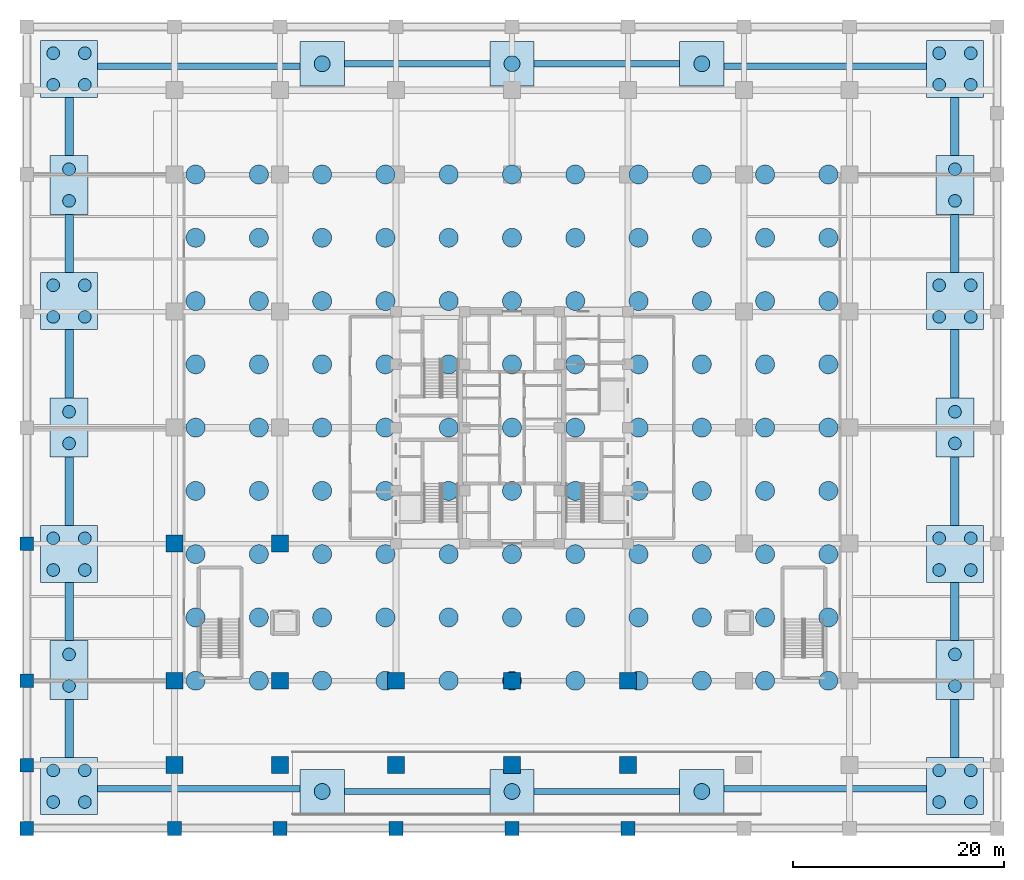
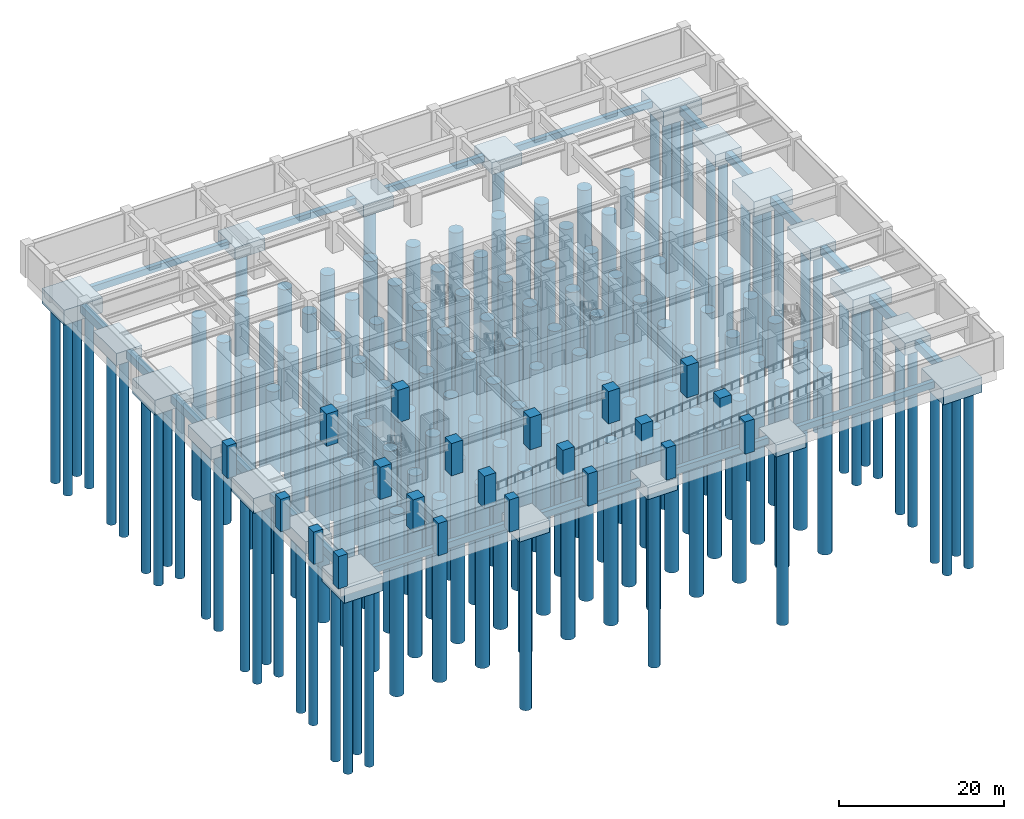
# One storey, part 1 of 13: 149 piles, 40 footings, 21 columns.
"""IFC4 building model written with IfcOpenShell, lengths in metres."""

from ifc_helpers import new_model, si_unit, direction, frame, origin, origin_2d, place, context, subcontext, project, spatial, rectangle, circle, extrude, source, transform, mapped, material, material_profile, profile_set, type_object, element, save


model = new_model("IFC4")

# Units and contexts
model_context = context("Model", 3, precision=1e-05, world=origin(), true_north=direction((0.0, 1.0)))
body_context = subcontext(model_context, "Body", "Model", "MODEL_VIEW")
ifc_project = project(units=[si_unit("LENGTHUNIT", "METRE"), si_unit("AREAUNIT", "SQUARE_METRE"), si_unit("VOLUMEUNIT", "CUBIC_METRE"), si_unit("PLANEANGLEUNIT", "RADIAN"), si_unit("MASSUNIT", "GRAM", prefix="KILO")], contexts=[model_context])

# Site, building, storey
site_placement = place(None, origin())
site = spatial("IfcSite", under=ifc_project, at=site_placement, CompositionType="ELEMENT")
building_placement = place(site_placement, origin())
building = spatial("IfcBuilding", under=site, at=building_placement, Name="Khorayat Bourse Tower", CompositionType="ELEMENT")
storey_placement = place(building_placement, frame((0.0, 0.0, -9.60009765625)))
storey = spatial("IfcBuildingStorey", under=building, at=storey_placement, Name="B02", CompositionType="ELEMENT", Elevation=-9.60009765625)

# Piles
ifc_material_1 = material(Name="Concrete C50/60", Category="concrete")
ifc_material_profile_1 = material_profile(ifc_material_1, circle(Radius=0.89990234375, at=origin_2d()), Name="BORED PILE D1800")
ifc_profile_set_1 = profile_set([ifc_material_profile_1], Name="Concrete C50/60")
pile_type_1 = type_object("IfcPileType", Name="PIL-BORED-1800", PredefinedType="BORED", material=ifc_profile_set_1)
shared_shape_1 = source(origin(), body_context, "Body", "SweptSolid", [
    extrude(circle(Radius=0.89990234375, at=origin_2d()), origin(), (0.0, 0.0, 1.0), 27.0),
])
for number, where, z_axis, x_axis, name in (
    (1, (-30.0, -24.0, -3.0498046875), (0.0, 0.0, -1.0), (1.0, 0.0, 0.0), "Tower Raft Bored Pile 001"),
    (2, (-30.0, -18.0, -3.0498046875), (0.0, 0.0, -1.0), (1.0, 0.0, 0.0), "Tower Raft Bored Pile 002"),
    (3, (-30.0, -12.0, -3.0498046875), (0.0, 0.0, -1.0), (1.0, 0.0, 0.0), "Tower Raft Bored Pile 003"),
    (4, (-30.0, -6.0, -3.0498046875), (0.0, 0.0, -1.0), (1.0, 0.0, 0.0), "Tower Raft Bored Pile 004"),
    (5, (-30.0, 0.0, -3.0498046875), (0.0, 0.0, -1.0), (1.0, 0.0, 0.0), "Tower Raft Bored Pile 005"),
    (6, (-30.0, 6.0, -3.0498046875), (0.0, 0.0, -1.0), (1.0, 0.0, 0.0), "Tower Raft Bored Pile 006"),
    (7, (-30.0, 12.0, -3.0498046875), (0.0, 0.0, -1.0), (1.0, 0.0, 0.0), "Tower Raft Bored Pile 007"),
    (8, (-30.0, 18.0, -3.0498046875), (0.0, 0.0, -1.0), (1.0, 0.0, 0.0), "Tower Raft Bored Pile 008"),
    (9, (-30.0, 24.0, -3.0498046875), (0.0, 0.0, -1.0), (1.0, 0.0, 0.0), "Tower Raft Bored Pile 009"),
    (10, (-24.0, -24.0, -3.0498046875), (0.0, 0.0, -1.0), (1.0, 0.0, 0.0), "Tower Raft Bored Pile 010"),
    (11, (-24.0, -18.0, -3.0498046875), (0.0, 0.0, -1.0), (1.0, 0.0, 0.0), "Tower Raft Bored Pile 011"),
    (12, (-24.0, -12.0, -3.0498046875), (0.0, 0.0, -1.0), (1.0, 0.0, 0.0), "Tower Raft Bored Pile 012"),
    (13, (-24.0, -6.0, -3.0498046875), (0.0, 0.0, -1.0), (1.0, 0.0, 0.0), "Tower Raft Bored Pile 013"),
    (14, (-24.0, 0.0, -3.0498046875), (0.0, 0.0, -1.0), (1.0, 0.0, 0.0), "Tower Raft Bored Pile 014"),
    (15, (-24.0, 6.0, -3.0498046875), (0.0, 0.0, -1.0), (1.0, 0.0, 0.0), "Tower Raft Bored Pile 015"),
    (16, (-24.0, 12.0, -3.0498046875), (0.0, 0.0, -1.0), (1.0, 0.0, 0.0), "Tower Raft Bored Pile 016"),
    (17, (-24.0, 18.0, -3.0498046875), (0.0, 0.0, -1.0), (1.0, 0.0, 0.0), "Tower Raft Bored Pile 017"),
    (18, (-24.0, 24.0, -3.0498046875), (0.0, 0.0, -1.0), (1.0, 0.0, 0.0), "Tower Raft Bored Pile 018"),
    (19, (-18.0, -24.0, -3.0498046875), (0.0, 0.0, -1.0), (1.0, 0.0, 0.0), "Tower Raft Bored Pile 019"),
    (20, (-18.0, -18.0, -3.0498046875), (0.0, 0.0, -1.0), (1.0, 0.0, 0.0), "Tower Raft Bored Pile 020"),
    (21, (-18.0, -12.0, -3.0498046875), (0.0, 0.0, -1.0), (1.0, 0.0, 0.0), "Tower Raft Bored Pile 021"),
    (22, (-18.0, -6.0, -3.0498046875), (0.0, 0.0, -1.0), (1.0, 0.0, 0.0), "Tower Raft Bored Pile 022"),
    (23, (-18.0, 0.0, -3.0498046875), (0.0, 0.0, -1.0), (1.0, 0.0, 0.0), "Tower Raft Bored Pile 023"),
    (24, (-18.0, 6.0, -3.0498046875), (0.0, 0.0, -1.0), (1.0, 0.0, 0.0), "Tower Raft Bored Pile 024"),
    (25, (-18.0, 12.0, -3.0498046875), (0.0, 0.0, -1.0), (1.0, 0.0, 0.0), "Tower Raft Bored Pile 025"),
    (26, (-18.0, 18.0, -3.0498046875), (0.0, 0.0, -1.0), (1.0, 0.0, 0.0), "Tower Raft Bored Pile 026"),
    (27, (-18.0, 24.0, -3.0498046875), (0.0, 0.0, -1.0), (1.0, 0.0, 0.0), "Tower Raft Bored Pile 027"),
    (28, (-12.0, -24.0, -3.0498046875), (0.0, 0.0, -1.0), (1.0, 0.0, 0.0), "Tower Raft Bored Pile 028"),
    (29, (-12.0, -18.0, -3.0498046875), (0.0, 0.0, -1.0), (1.0, 0.0, 0.0), "Tower Raft Bored Pile 029"),
    (30, (-12.0, -12.0, -3.0498046875), (0.0, 0.0, -1.0), (1.0, 0.0, 0.0), "Tower Raft Bored Pile 030"),
    (31, (-12.0, -6.0, -3.0498046875), (0.0, 0.0, -1.0), (1.0, 0.0, 0.0), "Tower Raft Bored Pile 031"),
    (32, (-12.0, 0.0, -3.0498046875), (0.0, 0.0, -1.0), (1.0, 0.0, 0.0), "Tower Raft Bored Pile 032"),
    (33, (-12.0, 6.0, -3.0498046875), (0.0, 0.0, -1.0), (1.0, 0.0, 0.0), "Tower Raft Bored Pile 033"),
    (34, (-12.0, 12.0, -3.0498046875), (0.0, 0.0, -1.0), (1.0, 0.0, 0.0), "Tower Raft Bored Pile 034"),
    (35, (-12.0, 18.0, -3.0498046875), (0.0, 0.0, -1.0), (1.0, 0.0, 0.0), "Tower Raft Bored Pile 035"),
    (36, (-12.0, 24.0, -3.0498046875), (0.0, 0.0, -1.0), (1.0, 0.0, 0.0), "Tower Raft Bored Pile 036"),
    (37, (-6.0, -24.0, -3.0498046875), (0.0, 0.0, -1.0), (1.0, 0.0, 0.0), "Tower Raft Bored Pile 037"),
    (38, (-6.0, -18.0, -3.0498046875), (0.0, 0.0, -1.0), (1.0, 0.0, 0.0), "Tower Raft Bored Pile 038"),
    (39, (-6.0, -12.0, -3.0498046875), (0.0, 0.0, -1.0), (1.0, 0.0, 0.0), "Tower Raft Bored Pile 039"),
    (40, (-6.0, -6.0, -3.0498046875), (0.0, 0.0, -1.0), (1.0, 0.0, 0.0), "Tower Raft Bored Pile 040"),
    (41, (-6.0, 0.0, -3.0498046875), (0.0, 0.0, -1.0), (1.0, 0.0, 0.0), "Tower Raft Bored Pile 041"),
    (42, (-6.0, 6.0, -3.0498046875), (0.0, 0.0, -1.0), (1.0, 0.0, 0.0), "Tower Raft Bored Pile 042"),
    (43, (-6.0, 12.0, -3.0498046875), (0.0, 0.0, -1.0), (1.0, 0.0, 0.0), "Tower Raft Bored Pile 043"),
    (44, (-6.0, 18.0, -3.0498046875), (0.0, 0.0, -1.0), (1.0, 0.0, 0.0), "Tower Raft Bored Pile 044"),
    (45, (-6.0, 24.0, -3.0498046875), (0.0, 0.0, -1.0), (1.0, 0.0, 0.0), "Tower Raft Bored Pile 045"),
    (46, (0.0, -24.0, -3.0498046875), (0.0, 0.0, -1.0), (1.0, 0.0, 0.0), "Tower Raft Bored Pile 046"),
    (47, (0.0, -18.0, -3.0498046875), (0.0, 0.0, -1.0), (1.0, 0.0, 0.0), "Tower Raft Bored Pile 047"),
    (48, (0.0, -12.0, -3.0498046875), (0.0, 0.0, -1.0), (1.0, 0.0, 0.0), "Tower Raft Bored Pile 048"),
    (49, (0.0, -6.0, -3.0498046875), (0.0, 0.0, -1.0), (1.0, 0.0, 0.0), "Tower Raft Bored Pile 049"),
    (50, (0.0, 0.0, -3.0498046875), (0.0, 0.0, -1.0), (1.0, 0.0, 0.0), "Tower Raft Bored Pile 050"),
    (51, (0.0, 6.0, -3.0498046875), (0.0, 0.0, -1.0), (1.0, 0.0, 0.0), "Tower Raft Bored Pile 051"),
    (52, (0.0, 12.0, -3.0498046875), (0.0, 0.0, -1.0), (1.0, 0.0, 0.0), "Tower Raft Bored Pile 052"),
    (53, (0.0, 18.0, -3.0498046875), (0.0, 0.0, -1.0), (1.0, 0.0, 0.0), "Tower Raft Bored Pile 053"),
    (54, (0.0, 24.0, -3.0498046875), (0.0, 0.0, -1.0), (1.0, 0.0, 0.0), "Tower Raft Bored Pile 054"),
    (55, (6.0, -24.0, -3.0498046875), (0.0, 0.0, -1.0), (1.0, 0.0, 0.0), "Tower Raft Bored Pile 055"),
    (56, (6.0, -18.0, -3.0498046875), (0.0, 0.0, -1.0), (1.0, 0.0, 0.0), "Tower Raft Bored Pile 056"),
    (57, (6.0, -12.0, -3.0498046875), (0.0, 0.0, -1.0), (1.0, 0.0, 0.0), "Tower Raft Bored Pile 057"),
    (58, (6.0, -6.0, -3.0498046875), (0.0, 0.0, -1.0), (1.0, 0.0, 0.0), "Tower Raft Bored Pile 058"),
    (59, (6.0, 0.0, -3.0498046875), (0.0, 0.0, -1.0), (1.0, 0.0, 0.0), "Tower Raft Bored Pile 059"),
    (60, (6.0, 6.0, -3.0498046875), (0.0, 0.0, -1.0), (1.0, 0.0, 0.0), "Tower Raft Bored Pile 060"),
    (61, (6.0, 12.0, -3.0498046875), (0.0, 0.0, -1.0), (1.0, 0.0, 0.0), "Tower Raft Bored Pile 061"),
    (62, (6.0, 18.0, -3.0498046875), (0.0, 0.0, -1.0), (1.0, 0.0, 0.0), "Tower Raft Bored Pile 062"),
    (63, (6.0, 24.0, -3.0498046875), (0.0, 0.0, -1.0), (1.0, 0.0, 0.0), "Tower Raft Bored Pile 063"),
    (64, (12.0, -24.0, -3.0498046875), (0.0, 0.0, -1.0), (1.0, 0.0, 0.0), "Tower Raft Bored Pile 064"),
    (65, (12.0, -18.0, -3.0498046875), (0.0, 0.0, -1.0), (1.0, 0.0, 0.0), "Tower Raft Bored Pile 065"),
    (66, (12.0, -12.0, -3.0498046875), (0.0, 0.0, -1.0), (1.0, 0.0, 0.0), "Tower Raft Bored Pile 066"),
    (67, (12.0, -6.0, -3.0498046875), (0.0, 0.0, -1.0), (1.0, 0.0, 0.0), "Tower Raft Bored Pile 067"),
    (68, (12.0, 0.0, -3.0498046875), (0.0, 0.0, -1.0), (1.0, 0.0, 0.0), "Tower Raft Bored Pile 068"),
    (69, (12.0, 6.0, -3.0498046875), (0.0, 0.0, -1.0), (1.0, 0.0, 0.0), "Tower Raft Bored Pile 069"),
    (70, (12.0, 12.0, -3.0498046875), (0.0, 0.0, -1.0), (1.0, 0.0, 0.0), "Tower Raft Bored Pile 070"),
    (71, (12.0, 18.0, -3.0498046875), (0.0, 0.0, -1.0), (1.0, 0.0, 0.0), "Tower Raft Bored Pile 071"),
    (72, (12.0, 24.0, -3.0498046875), (0.0, 0.0, -1.0), (1.0, 0.0, 0.0), "Tower Raft Bored Pile 072"),
    (73, (18.0, -24.0, -3.0498046875), (0.0, 0.0, -1.0), (1.0, 0.0, 0.0), "Tower Raft Bored Pile 073"),
    (74, (18.0, -18.0, -3.0498046875), (0.0, 0.0, -1.0), (1.0, 0.0, 0.0), "Tower Raft Bored Pile 074"),
    (75, (18.0, -12.0, -3.0498046875), (0.0, 0.0, -1.0), (1.0, 0.0, 0.0), "Tower Raft Bored Pile 075"),
    (76, (18.0, -6.0, -3.0498046875), (0.0, 0.0, -1.0), (1.0, 0.0, 0.0), "Tower Raft Bored Pile 076"),
    (77, (18.0, 0.0, -3.0498046875), (0.0, 0.0, -1.0), (1.0, 0.0, 0.0), "Tower Raft Bored Pile 077"),
    (78, (18.0, 6.0, -3.0498046875), (0.0, 0.0, -1.0), (1.0, 0.0, 0.0), "Tower Raft Bored Pile 078"),
    (79, (18.0, 12.0, -3.0498046875), (0.0, 0.0, -1.0), (1.0, 0.0, 0.0), "Tower Raft Bored Pile 079"),
    (80, (18.0, 18.0, -3.0498046875), (0.0, 0.0, -1.0), (1.0, 0.0, 0.0), "Tower Raft Bored Pile 080"),
    (81, (18.0, 24.0, -3.0498046875), (0.0, 0.0, -1.0), (1.0, 0.0, 0.0), "Tower Raft Bored Pile 081"),
    (82, (24.0, -24.0, -3.0498046875), (0.0, 0.0, -1.0), (1.0, 0.0, 0.0), "Tower Raft Bored Pile 082"),
    (83, (24.0, -18.0, -3.0498046875), (0.0, 0.0, -1.0), (1.0, 0.0, 0.0), "Tower Raft Bored Pile 083"),
    (84, (24.0, -12.0, -3.0498046875), (0.0, 0.0, -1.0), (1.0, 0.0, 0.0), "Tower Raft Bored Pile 084"),
    (85, (24.0, -6.0, -3.0498046875), (0.0, 0.0, -1.0), (1.0, 0.0, 0.0), "Tower Raft Bored Pile 085"),
    (86, (24.0, 0.0, -3.0498046875), (0.0, 0.0, -1.0), (1.0, 0.0, 0.0), "Tower Raft Bored Pile 086"),
    (87, (24.0, 6.0, -3.0498046875), (0.0, 0.0, -1.0), (1.0, 0.0, 0.0), "Tower Raft Bored Pile 087"),
    (88, (24.0, 12.0, -3.0498046875), (0.0, 0.0, -1.0), (1.0, 0.0, 0.0), "Tower Raft Bored Pile 088"),
    (89, (24.0, 18.0, -3.0498046875), (0.0, 0.0, -1.0), (1.0, 0.0, 0.0), "Tower Raft Bored Pile 089"),
    (90, (24.0, 24.0, -3.0498046875), (0.0, 0.0, -1.0), (1.0, 0.0, 0.0), "Tower Raft Bored Pile 090"),
    (91, (30.0, -24.0, -3.0498046875), (0.0, 0.0, -1.0), (1.0, 0.0, 0.0), "Tower Raft Bored Pile 091"),
    (92, (30.0, -18.0, -3.0498046875), (0.0, 0.0, -1.0), (1.0, 0.0, 0.0), "Tower Raft Bored Pile 092"),
    (93, (30.0, -12.0, -3.0498046875), (0.0, 0.0, -1.0), (1.0, 0.0, 0.0), "Tower Raft Bored Pile 093"),
    (94, (30.0, -6.0, -3.0498046875), (0.0, 0.0, -1.0), (1.0, 0.0, 0.0), "Tower Raft Bored Pile 094"),
    (95, (30.0, 0.0, -3.0498046875), (0.0, 0.0, -1.0), (1.0, 0.0, 0.0), "Tower Raft Bored Pile 095"),
    (96, (30.0, 6.0, -3.0498046875), (0.0, 0.0, -1.0), (1.0, 0.0, 0.0), "Tower Raft Bored Pile 096"),
    (97, (30.0, 12.0, -3.0498046875), (0.0, 0.0, -1.0), (1.0, 0.0, 0.0), "Tower Raft Bored Pile 097"),
    (98, (30.0, 18.0, -3.0498046875), (0.0, 0.0, -1.0), (1.0, 0.0, 0.0), "Tower Raft Bored Pile 098"),
    (99, (30.0, 24.0, -3.0498046875), (0.0, 0.0, -1.0), (1.0, 0.0, 0.0), "Tower Raft Bored Pile 099"),
):
    element("IfcPile", number, at=place(storey_placement, frame(where, z_axis=z_axis, x_axis=x_axis)), inside=storey, type_object=pile_type_1, Name=name, PredefinedType="BORED", context=body_context, shape_type="MappedRepresentation", body=[
        mapped(shared_shape_1, transform((0.0, 0.0, 0.0), scale=1.0)),
    ])

# Footings
footing_type_1 = type_object("IfcFootingType", Name="FTG-CAP-5400", PredefinedType="PILE_CAP", material=ifc_material_1)
shared_shape_2 = source(origin(), body_context, "Body", "SweptSolid", [
    extrude(rectangle(XDim=5.39990234375, YDim=5.39990234375, at=origin_2d()), origin(), (0.0, 0.0, 1.0), 2.199951171875),
])
for number, where, z_axis, x_axis, name in (
    (100, (-42.0, -34.0, -4.0), (0.0, 0.0, 1.0), (1.0, 0.0, 0.0), "Peripheral Four-Pile Cap 01"),
    (101, (42.0, -34.0, -4.0), (0.0, 0.0, 1.0), (1.0, 0.0, 0.0), "Peripheral Four-Pile Cap 02"),
    (102, (-42.0, 34.0, -4.0), (0.0, 0.0, 1.0), (1.0, 0.0, 0.0), "Peripheral Four-Pile Cap 03"),
    (103, (42.0, 34.0, -4.0), (0.0, 0.0, 1.0), (1.0, 0.0, 0.0), "Peripheral Four-Pile Cap 04"),
    (104, (-42.0, -12.0, -4.0), (0.0, 0.0, 1.0), (1.0, 0.0, 0.0), "Peripheral Four-Pile Cap 05"),
    (105, (42.0, -12.0, -4.0), (0.0, 0.0, 1.0), (1.0, 0.0, 0.0), "Peripheral Four-Pile Cap 06"),
    (106, (-42.0, 12.0, -4.0), (0.0, 0.0, 1.0), (1.0, 0.0, 0.0), "Peripheral Four-Pile Cap 07"),
    (107, (42.0, 12.0, -4.0), (0.0, 0.0, 1.0), (1.0, 0.0, 0.0), "Peripheral Four-Pile Cap 08"),
):
    element("IfcFooting", number, at=place(storey_placement, frame(where, z_axis=z_axis, x_axis=x_axis)), inside=storey, type_object=footing_type_1, Name=name, PredefinedType="PILE_CAP", context=body_context, shape_type="MappedRepresentation", body=[
        mapped(shared_shape_2, transform((0.0, 0.0, 0.0), scale=1.0)),
    ])

# Piles
ifc_material_profile_2 = material_profile(ifc_material_1, circle(Radius=0.60009765625, at=origin_2d()), Name="BORED PILE D1200")
ifc_profile_set_2 = profile_set([ifc_material_profile_2], Name="Concrete C50/60")
pile_type_2 = type_object("IfcPileType", Name="PIL-BORED-1200", PredefinedType="BORED", material=ifc_profile_set_2)
shared_shape_3 = source(origin(), body_context, "Body", "SweptSolid", [
    extrude(circle(Radius=0.60009765625, at=origin_2d()), origin(), (0.0, 0.0, 1.0), 26.199951171875),
])
for number, where, z_axis, x_axis, name in (
    (108, (-43.5, -35.5, -3.849853515625), (0.0, 0.0, -1.0), (1.0, 0.0, 0.0), "Cap 01 Bored Pile 1"),
    (109, (-40.5, -35.5, -3.849853515625), (0.0, 0.0, -1.0), (1.0, 0.0, 0.0), "Cap 01 Bored Pile 2"),
    (110, (-43.5, -32.5, -3.849853515625), (0.0, 0.0, -1.0), (1.0, 0.0, 0.0), "Cap 01 Bored Pile 3"),
    (111, (-40.5, -32.5, -3.849853515625), (0.0, 0.0, -1.0), (1.0, 0.0, 0.0), "Cap 01 Bored Pile 4"),
    (112, (40.5, -35.5, -3.849853515625), (0.0, 0.0, -1.0), (1.0, 0.0, 0.0), "Cap 02 Bored Pile 1"),
    (113, (43.5, -35.5, -3.849853515625), (0.0, 0.0, -1.0), (1.0, 0.0, 0.0), "Cap 02 Bored Pile 2"),
    (114, (40.5, -32.5, -3.849853515625), (0.0, 0.0, -1.0), (1.0, 0.0, 0.0), "Cap 02 Bored Pile 3"),
    (115, (43.5, -32.5, -3.849853515625), (0.0, 0.0, -1.0), (1.0, 0.0, 0.0), "Cap 02 Bored Pile 4"),
    (116, (-43.5, 32.5, -3.849853515625), (0.0, 0.0, -1.0), (1.0, 0.0, 0.0), "Cap 03 Bored Pile 1"),
    (117, (-40.5, 32.5, -3.849853515625), (0.0, 0.0, -1.0), (1.0, 0.0, 0.0), "Cap 03 Bored Pile 2"),
    (118, (-43.5, 35.5, -3.849853515625), (0.0, 0.0, -1.0), (1.0, 0.0, 0.0), "Cap 03 Bored Pile 3"),
    (119, (-40.5, 35.5, -3.849853515625), (0.0, 0.0, -1.0), (1.0, 0.0, 0.0), "Cap 03 Bored Pile 4"),
    (120, (40.5, 32.5, -3.849853515625), (0.0, 0.0, -1.0), (1.0, 0.0, 0.0), "Cap 04 Bored Pile 1"),
    (121, (43.5, 32.5, -3.849853515625), (0.0, 0.0, -1.0), (1.0, 0.0, 0.0), "Cap 04 Bored Pile 2"),
    (122, (40.5, 35.5, -3.849853515625), (0.0, 0.0, -1.0), (1.0, 0.0, 0.0), "Cap 04 Bored Pile 3"),
    (123, (43.5, 35.5, -3.849853515625), (0.0, 0.0, -1.0), (1.0, 0.0, 0.0), "Cap 04 Bored Pile 4"),
    (124, (-43.5, -13.5, -3.849853515625), (0.0, 0.0, -1.0), (1.0, 0.0, 0.0), "Cap 05 Bored Pile 1"),
    (125, (-40.5, -13.5, -3.849853515625), (0.0, 0.0, -1.0), (1.0, 0.0, 0.0), "Cap 05 Bored Pile 2"),
    (126, (-43.5, -10.5, -3.849853515625), (0.0, 0.0, -1.0), (1.0, 0.0, 0.0), "Cap 05 Bored Pile 3"),
    (127, (-40.5, -10.5, -3.849853515625), (0.0, 0.0, -1.0), (1.0, 0.0, 0.0), "Cap 05 Bored Pile 4"),
    (128, (40.5, -13.5, -3.849853515625), (0.0, 0.0, -1.0), (1.0, 0.0, 0.0), "Cap 06 Bored Pile 1"),
    (129, (43.5, -13.5, -3.849853515625), (0.0, 0.0, -1.0), (1.0, 0.0, 0.0), "Cap 06 Bored Pile 2"),
    (130, (40.5, -10.5, -3.849853515625), (0.0, 0.0, -1.0), (1.0, 0.0, 0.0), "Cap 06 Bored Pile 3"),
    (131, (43.5, -10.5, -3.849853515625), (0.0, 0.0, -1.0), (1.0, 0.0, 0.0), "Cap 06 Bored Pile 4"),
    (132, (-43.5, 10.5, -3.849853515625), (0.0, 0.0, -1.0), (1.0, 0.0, 0.0), "Cap 07 Bored Pile 1"),
    (133, (-40.5, 10.5, -3.849853515625), (0.0, 0.0, -1.0), (1.0, 0.0, 0.0), "Cap 07 Bored Pile 2"),
    (134, (-43.5, 13.5, -3.849853515625), (0.0, 0.0, -1.0), (1.0, 0.0, 0.0), "Cap 07 Bored Pile 3"),
    (135, (-40.5, 13.5, -3.849853515625), (0.0, 0.0, -1.0), (1.0, 0.0, 0.0), "Cap 07 Bored Pile 4"),
    (136, (40.5, 10.5, -3.849853515625), (0.0, 0.0, -1.0), (1.0, 0.0, 0.0), "Cap 08 Bored Pile 1"),
    (137, (43.5, 10.5, -3.849853515625), (0.0, 0.0, -1.0), (1.0, 0.0, 0.0), "Cap 08 Bored Pile 2"),
    (138, (40.5, 13.5, -3.849853515625), (0.0, 0.0, -1.0), (1.0, 0.0, 0.0), "Cap 08 Bored Pile 3"),
    (139, (43.5, 13.5, -3.849853515625), (0.0, 0.0, -1.0), (1.0, 0.0, 0.0), "Cap 08 Bored Pile 4"),
):
    element("IfcPile", number, at=place(storey_placement, frame(where, z_axis=z_axis, x_axis=x_axis)), inside=storey, type_object=pile_type_2, Name=name, PredefinedType="BORED", context=body_context, shape_type="MappedRepresentation", body=[
        mapped(shared_shape_3, transform((0.0, 0.0, 0.0), scale=1.0)),
    ])

# Footings
footing_type_2 = type_object("IfcFootingType", Name="FTG-CAP-4200", PredefinedType="PILE_CAP", material=ifc_material_1)
shared_shape_4 = source(origin(), body_context, "Body", "SweptSolid", [
    extrude(rectangle(XDim=4.199951171875, YDim=4.199951171875, at=origin_2d()), origin(), (0.0, 0.0, 1.0), 1.800048828125),
])
for number, where, z_axis, x_axis, name in (
    (140, (-18.0, -34.5, -3.60009765625), (0.0, 0.0, 1.0), (1.0, 0.0, 0.0), "Peripheral Single-Pile Cap 01"),
    (141, (0.0, -34.5, -3.60009765625), (0.0, 0.0, 1.0), (1.0, 0.0, 0.0), "Peripheral Single-Pile Cap 02"),
    (142, (18.0, -34.5, -3.60009765625), (0.0, 0.0, 1.0), (1.0, 0.0, 0.0), "Peripheral Single-Pile Cap 03"),
    (143, (-18.0, 34.5, -3.60009765625), (0.0, 0.0, 1.0), (1.0, 0.0, 0.0), "Peripheral Single-Pile Cap 04"),
    (144, (0.0, 34.5, -3.60009765625), (0.0, 0.0, 1.0), (1.0, 0.0, 0.0), "Peripheral Single-Pile Cap 05"),
    (145, (18.0, 34.5, -3.60009765625), (0.0, 0.0, 1.0), (1.0, 0.0, 0.0), "Peripheral Single-Pile Cap 06"),
):
    element("IfcFooting", number, at=place(storey_placement, frame(where, z_axis=z_axis, x_axis=x_axis)), inside=storey, type_object=footing_type_2, Name=name, PredefinedType="PILE_CAP", context=body_context, shape_type="MappedRepresentation", body=[
        mapped(shared_shape_4, transform((0.0, 0.0, 0.0), scale=1.0)),
    ])

# Piles
ifc_material_profile_3 = material_profile(ifc_material_1, circle(Radius=0.75, at=origin_2d()), Name="BORED PILE D1500")
ifc_profile_set_3 = profile_set([ifc_material_profile_3], Name="Concrete C50/60")
pile_type_3 = type_object("IfcPileType", Name="PIL-BORED-1500", PredefinedType="BORED", material=ifc_profile_set_3)
shared_shape_5 = source(origin(), body_context, "Body", "SweptSolid", [
    extrude(circle(Radius=0.75, at=origin_2d()), origin(), (0.0, 0.0, 1.0), 26.60009765625),
])
for number, where, z_axis, x_axis, name in (
    (146, (-18.0, -34.5, -3.449951171875), (0.0, 0.0, -1.0), (1.0, 0.0, 0.0), "Cap PC2-01 Bored Pile"),
    (147, (0.0, -34.5, -3.449951171875), (0.0, 0.0, -1.0), (1.0, 0.0, 0.0), "Cap PC2-02 Bored Pile"),
    (148, (18.0, -34.5, -3.449951171875), (0.0, 0.0, -1.0), (1.0, 0.0, 0.0), "Cap PC2-03 Bored Pile"),
    (149, (-18.0, 34.5, -3.449951171875), (0.0, 0.0, -1.0), (1.0, 0.0, 0.0), "Cap PC2-04 Bored Pile"),
    (150, (0.0, 34.5, -3.449951171875), (0.0, 0.0, -1.0), (1.0, 0.0, 0.0), "Cap PC2-05 Bored Pile"),
    (151, (18.0, 34.5, -3.449951171875), (0.0, 0.0, -1.0), (1.0, 0.0, 0.0), "Cap PC2-06 Bored Pile"),
):
    element("IfcPile", number, at=place(storey_placement, frame(where, z_axis=z_axis, x_axis=x_axis)), inside=storey, type_object=pile_type_3, Name=name, PredefinedType="BORED", context=body_context, shape_type="MappedRepresentation", body=[
        mapped(shared_shape_5, transform((0.0, 0.0, 0.0), scale=1.0)),
    ])

# Footings
footing_type_3 = type_object("IfcFootingType", Name="FTG-CAP-5600x3600", PredefinedType="PILE_CAP", material=ifc_material_1)
shared_shape_6 = source(origin(), body_context, "Body", "SweptSolid", [
    extrude(rectangle(XDim=3.60009765625, YDim=5.60009765625, at=origin_2d()), origin(), (0.0, 0.0, 1.0), 1.800048828125),
])
for number, where, z_axis, x_axis, name in (
    (152, (-42.0, -23.0, -3.60009765625), (0.0, 0.0, 1.0), (1.0, 0.0, 0.0), "Peripheral Two-Pile Cap 01"),
    (153, (42.0, -23.0, -3.60009765625), (0.0, 0.0, 1.0), (1.0, 0.0, 0.0), "Peripheral Two-Pile Cap 02"),
    (154, (-42.0, 0.0, -3.60009765625), (0.0, 0.0, 1.0), (1.0, 0.0, 0.0), "Peripheral Two-Pile Cap 03"),
    (155, (42.0, 0.0, -3.60009765625), (0.0, 0.0, 1.0), (1.0, 0.0, 0.0), "Peripheral Two-Pile Cap 04"),
    (156, (-42.0, 23.0, -3.60009765625), (0.0, 0.0, 1.0), (1.0, 0.0, 0.0), "Peripheral Two-Pile Cap 05"),
    (157, (42.0, 23.0, -3.60009765625), (0.0, 0.0, 1.0), (1.0, 0.0, 0.0), "Peripheral Two-Pile Cap 06"),
):
    element("IfcFooting", number, at=place(storey_placement, frame(where, z_axis=z_axis, x_axis=x_axis)), inside=storey, type_object=footing_type_3, Name=name, PredefinedType="PILE_CAP", context=body_context, shape_type="MappedRepresentation", body=[
        mapped(shared_shape_6, transform((0.0, 0.0, 0.0), scale=1.0)),
    ])

# Piles
shared_shape_7 = source(origin(), body_context, "Body", "SweptSolid", [
    extrude(circle(Radius=0.60009765625, at=origin_2d()), origin(), (0.0, 0.0, 1.0), 26.60009765625),
])
for number, where, z_axis, x_axis, name in (
    (158, (-42.0, -24.5, -3.449951171875), (0.0, 0.0, -1.0), (1.0, 0.0, 0.0), "Cap PC3-01 Bored Pile 1"),
    (159, (-42.0, -21.5, -3.449951171875), (0.0, 0.0, -1.0), (1.0, 0.0, 0.0), "Cap PC3-01 Bored Pile 2"),
    (160, (42.0, -24.5, -3.449951171875), (0.0, 0.0, -1.0), (1.0, 0.0, 0.0), "Cap PC3-02 Bored Pile 1"),
    (161, (42.0, -21.5, -3.449951171875), (0.0, 0.0, -1.0), (1.0, 0.0, 0.0), "Cap PC3-02 Bored Pile 2"),
    (162, (-42.0, -1.5, -3.449951171875), (0.0, 0.0, -1.0), (1.0, 0.0, 0.0), "Cap PC3-03 Bored Pile 1"),
    (163, (-42.0, 1.5, -3.449951171875), (0.0, 0.0, -1.0), (1.0, 0.0, 0.0), "Cap PC3-03 Bored Pile 2"),
    (164, (42.0, -1.5, -3.449951171875), (0.0, 0.0, -1.0), (1.0, 0.0, 0.0), "Cap PC3-04 Bored Pile 1"),
    (165, (42.0, 1.5, -3.449951171875), (0.0, 0.0, -1.0), (1.0, 0.0, 0.0), "Cap PC3-04 Bored Pile 2"),
    (166, (-42.0, 21.5, -3.449951171875), (0.0, 0.0, -1.0), (1.0, 0.0, 0.0), "Cap PC3-05 Bored Pile 1"),
    (167, (-42.0, 24.5, -3.449951171875), (0.0, 0.0, -1.0), (1.0, 0.0, 0.0), "Cap PC3-05 Bored Pile 2"),
    (168, (42.0, 21.5, -3.449951171875), (0.0, 0.0, -1.0), (1.0, 0.0, 0.0), "Cap PC3-06 Bored Pile 1"),
    (169, (42.0, 24.5, -3.449951171875), (0.0, 0.0, -1.0), (1.0, 0.0, 0.0), "Cap PC3-06 Bored Pile 2"),
):
    element("IfcPile", number, at=place(storey_placement, frame(where, z_axis=z_axis, x_axis=x_axis)), inside=storey, type_object=pile_type_2, Name=name, PredefinedType="BORED", context=body_context, shape_type="MappedRepresentation", body=[
        mapped(shared_shape_7, transform((0.0, 0.0, 0.0), scale=1.0)),
    ])

# Footings
ifc_material_profile_4 = material_profile(ifc_material_1, rectangle(XDim=0.800048828125, YDim=1.199951171875, at=origin_2d()), Name="RC 800x1200")
ifc_profile_set_4 = profile_set([ifc_material_profile_4], Name="Concrete C50/60")
footing_type_4 = type_object("IfcFootingType", Name="FTG-TIE-800x1200", PredefinedType="FOOTING_BEAM", material=ifc_profile_set_4)
shared_shape_8 = source(origin(), body_context, "Body", "SweptSolid", [
    extrude(rectangle(XDim=0.800048828125, YDim=1.199951171875, at=origin_2d()), origin(), (0.0, 0.0, 1.0), 5.5),
])
for number, where, z_axis, x_axis, name in (
    (170, (-42.0, -31.300048828125, -2.39990234375), (0.0, 1.0, 0.0), (-1.0, 0.0, 0.0), "Ground Tie Beam GB1-01"),
    (171, (-42.0, -20.199951171875, -2.39990234375), (0.0, 1.0, 0.0), (-1.0, 0.0, 0.0), "Ground Tie Beam GB1-02"),
    (172, (-42.0, 14.699951171875, -2.39990234375), (0.0, 1.0, 0.0), (-1.0, 0.0, 0.0), "Ground Tie Beam GB1-05"),
    (173, (-42.0, 25.800048828125, -2.39990234375), (0.0, 1.0, 0.0), (-1.0, 0.0, 0.0), "Ground Tie Beam GB1-06"),
    (174, (42.0, -31.300048828125, -2.39990234375), (0.0, 1.0, 0.0), (-1.0, 0.0, 0.0), "Ground Tie Beam GB1-07"),
    (175, (42.0, -20.199951171875, -2.39990234375), (0.0, 1.0, 0.0), (-1.0, 0.0, 0.0), "Ground Tie Beam GB1-08"),
    (176, (42.0, 14.699951171875, -2.39990234375), (0.0, 1.0, 0.0), (-1.0, 0.0, 0.0), "Ground Tie Beam GB1-11"),
    (177, (42.0, 25.800048828125, -2.39990234375), (0.0, 1.0, 0.0), (-1.0, 0.0, 0.0), "Ground Tie Beam GB1-12"),
):
    element("IfcFooting", number, at=place(storey_placement, frame(where, z_axis=z_axis, x_axis=x_axis)), inside=storey, type_object=footing_type_4, Name=name, PredefinedType="FOOTING_BEAM", context=body_context, shape_type="MappedRepresentation", body=[
        mapped(shared_shape_8, transform((0.0, 0.0, 0.0), scale=1.0)),
    ])
shared_shape_9 = source(origin(), body_context, "Body", "SweptSolid", [
    extrude(rectangle(XDim=0.800048828125, YDim=1.199951171875, at=origin_2d()), origin(), (0.0, 0.0, 1.0), 6.5),
])
for number, where, z_axis, x_axis, name in (
    (178, (-42.0, -9.300048828125, -2.39990234375), (0.0, 1.0, 0.0), (-1.0, 0.0, 0.0), "Ground Tie Beam GB1-03"),
    (179, (-42.0, 2.800048828125, -2.39990234375), (0.0, 1.0, 0.0), (-1.0, 0.0, 0.0), "Ground Tie Beam GB1-04"),
    (180, (42.0, -9.300048828125, -2.39990234375), (0.0, 1.0, 0.0), (-1.0, 0.0, 0.0), "Ground Tie Beam GB1-09"),
    (181, (42.0, 2.800048828125, -2.39990234375), (0.0, 1.0, 0.0), (-1.0, 0.0, 0.0), "Ground Tie Beam GB1-10"),
):
    element("IfcFooting", number, at=place(storey_placement, frame(where, z_axis=z_axis, x_axis=x_axis)), inside=storey, type_object=footing_type_4, Name=name, PredefinedType="FOOTING_BEAM", context=body_context, shape_type="MappedRepresentation", body=[
        mapped(shared_shape_9, transform((0.0, 0.0, 0.0), scale=1.0)),
    ])
ifc_material_profile_5 = material_profile(ifc_material_1, rectangle(XDim=0.60009765625, YDim=0.949951171875, at=origin_2d()), Name="RC 600x950")
ifc_profile_set_5 = profile_set([ifc_material_profile_5], Name="Concrete C50/60")
footing_type_5 = type_object("IfcFootingType", Name="FTG-TIE-600x950", PredefinedType="FOOTING_BEAM", material=ifc_profile_set_5)
shared_shape_10 = source(origin(), body_context, "Body", "SweptSolid", [
    extrude(rectangle(XDim=0.60009765625, YDim=0.949951171875, at=origin_2d()), origin(), (0.0, 0.0, 1.0), 19.199951171875),
])
for number, where, z_axis, x_axis, name in (
    (182, (-39.300048828125, -34.25, -2.27490234375), (1.0, 0.0, 0.0), (0.0, 1.0, 0.0), "Ground Tie Beam GB2-01"),
    (183, (20.10009765625, -34.25, -2.27490234375), (1.0, 0.0, 0.0), (0.0, 1.0, 0.0), "Ground Tie Beam GB2-04"),
    (184, (-39.300048828125, 34.25, -2.27490234375), (1.0, 0.0, 0.0), (0.0, 1.0, 0.0), "Ground Tie Beam GB2-05"),
    (185, (20.10009765625, 34.25, -2.27490234375), (1.0, 0.0, 0.0), (0.0, 1.0, 0.0), "Ground Tie Beam GB2-08"),
):
    element("IfcFooting", number, at=place(storey_placement, frame(where, z_axis=z_axis, x_axis=x_axis)), inside=storey, type_object=footing_type_5, Name=name, PredefinedType="FOOTING_BEAM", context=body_context, shape_type="MappedRepresentation", body=[
        mapped(shared_shape_10, transform((0.0, 0.0, 0.0), scale=1.0)),
    ])
shared_shape_11 = source(origin(), body_context, "Body", "SweptSolid", [
    extrude(rectangle(XDim=0.60009765625, YDim=0.949951171875, at=origin_2d()), origin(), (0.0, 0.0, 1.0), 13.7998046875),
])
for number, where, z_axis, x_axis, name in (
    (186, (-15.89990234375, -34.5, -2.27490234375), (1.0, 0.0, 0.0), (0.0, 1.0, 0.0), "Ground Tie Beam GB2-02"),
    (187, (2.10009765625, -34.5, -2.27490234375), (1.0, 0.0, 0.0), (0.0, 1.0, 0.0), "Ground Tie Beam GB2-03"),
    (188, (-15.89990234375, 34.5, -2.27490234375), (1.0, 0.0, 0.0), (0.0, 1.0, 0.0), "Ground Tie Beam GB2-06"),
    (189, (2.10009765625, 34.5, -2.27490234375), (1.0, 0.0, 0.0), (0.0, 1.0, 0.0), "Ground Tie Beam GB2-07"),
):
    element("IfcFooting", number, at=place(storey_placement, frame(where, z_axis=z_axis, x_axis=x_axis)), inside=storey, type_object=footing_type_5, Name=name, PredefinedType="FOOTING_BEAM", context=body_context, shape_type="MappedRepresentation", body=[
        mapped(shared_shape_11, transform((0.0, 0.0, 0.0), scale=1.0)),
    ])

# Columns
ifc_material_2 = material(Name="Concrete C72/90", Category="concrete")
ifc_material_profile_6 = material_profile(ifc_material_2, rectangle(XDim=1.300048828125, YDim=1.300048828125, at=origin_2d()), Name="RC 1300x1300")
ifc_profile_set_6 = profile_set([ifc_material_profile_6], Name="Concrete C72/90")
column_type_1 = type_object("IfcColumnType", Name="COL-MEGA-1300", PredefinedType="COLUMN", material=ifc_profile_set_6)
shared_shape_12 = source(origin(), body_context, "Body", "SweptSolid", [
    extrude(rectangle(XDim=1.300048828125, YDim=1.300048828125, at=origin_2d()), origin(), (0.0, 0.0, 1.0), 4.800048828125),
])
for number, where, z_axis, x_axis, name in (
    (190, (-46.0, -38.0, 0.0), (0.0, 0.0, 1.0), (1.0, 0.0, 0.0), "B02 Column 001"),
    (191, (-46.0, -24.0, 0.0), (0.0, 0.0, 1.0), (1.0, 0.0, 0.0), "B02 Column 002"),
    (192, (-46.0, -11.0, 0.0), (0.0, 0.0, 1.0), (1.0, 0.0, 0.0), "B02 Column 003"),
    (193, (-32.0, -38.0, 0.0), (0.0, 0.0, 1.0), (1.0, 0.0, 0.0), "B02 Column 008"),
    (194, (-22.0, -38.0, 0.0), (0.0, 0.0, 1.0), (1.0, 0.0, 0.0), "B02 Column 017"),
    (195, (-11.0, -38.0, 0.0), (0.0, 0.0, 1.0), (1.0, 0.0, 0.0), "B02 Column 026"),
    (196, (0.0, -38.0, 0.0), (0.0, 0.0, 1.0), (1.0, 0.0, 0.0), "B02 Column 042"),
    (197, (11.0, -38.0, 0.0), (0.0, 0.0, 1.0), (1.0, 0.0, 0.0), "B02 Column 053"),
    (198, (-46.0, -32.0, 0.0), (0.0, 0.0, 1.0), (1.0, 0.0, 0.0), "B02 Perimeter Step Column 1"),
):
    element("IfcColumn", number, at=place(storey_placement, frame(where, z_axis=z_axis, x_axis=x_axis)), inside=storey, type_object=column_type_1, Name=name, PredefinedType="COLUMN", context=body_context, shape_type="MappedRepresentation", body=[
        mapped(shared_shape_12, transform((0.0, 0.0, 0.0), scale=1.0)),
    ])
ifc_material_profile_7 = material_profile(ifc_material_2, rectangle(XDim=1.60009765625, YDim=1.60009765625, at=origin_2d()), Name="RC 1600x1600")
ifc_profile_set_7 = profile_set([ifc_material_profile_7], Name="Concrete C72/90")
column_type_2 = type_object("IfcColumnType", Name="COL-MEGA-1600", PredefinedType="COLUMN", material=ifc_profile_set_7)
shared_shape_13 = source(origin(), body_context, "Body", "SweptSolid", [
    extrude(rectangle(XDim=1.60009765625, YDim=1.60009765625, at=origin_2d()), origin(), (0.0, 0.0, 1.0), 4.800048828125),
])
for number, where, z_axis, x_axis, name in (
    (199, (-32.0, -32.0, 0.0), (0.0, 0.0, 1.0), (1.0, 0.0, 0.0), "B02 Column 009"),
    (200, (-32.0, -24.0, 0.0), (0.0, 0.0, 1.0), (1.0, 0.0, 0.0), "B02 Column 010"),
    (201, (-32.0, -11.0, 0.0), (0.0, 0.0, 1.0), (1.0, 0.0, 0.0), "B02 Column 011"),
    (202, (-22.0, -32.0, 0.0), (0.0, 0.0, 1.0), (1.0, 0.0, 0.0), "B02 Column 018"),
    (203, (-22.0, -24.0, 0.0), (0.0, 0.0, 1.0), (1.0, 0.0, 0.0), "B02 Column 019"),
    (204, (-22.0, -11.0, 0.0), (0.0, 0.0, 1.0), (1.0, 0.0, 0.0), "B02 Column 020"),
    (205, (-11.0, -32.0, 0.0), (0.0, 0.0, 1.0), (1.0, 0.0, 0.0), "B02 Column 027"),
    (206, (-11.0, -24.0, 0.0), (0.0, 0.0, 1.0), (1.0, 0.0, 0.0), "B02 Column 028"),
    (207, (0.0, -32.0, 0.0), (0.0, 0.0, 1.0), (1.0, 0.0, 0.0), "B02 Column 043"),
    (208, (0.0, -24.0, 0.0), (0.0, 0.0, 1.0), (1.0, 0.0, 0.0), "B02 Column 044"),
    (209, (11.0, -32.0, 0.0), (0.0, 0.0, 1.0), (1.0, 0.0, 0.0), "B02 Column 054"),
    (210, (11.0, -24.0, 0.0), (0.0, 0.0, 1.0), (1.0, 0.0, 0.0), "B02 Column 055"),
):
    element("IfcColumn", number, at=place(storey_placement, frame(where, z_axis=z_axis, x_axis=x_axis)), inside=storey, type_object=column_type_2, Name=name, PredefinedType="COLUMN", context=body_context, shape_type="MappedRepresentation", body=[
        mapped(shared_shape_13, transform((0.0, 0.0, 0.0), scale=1.0)),
    ])

save(model, "model.ifc")
